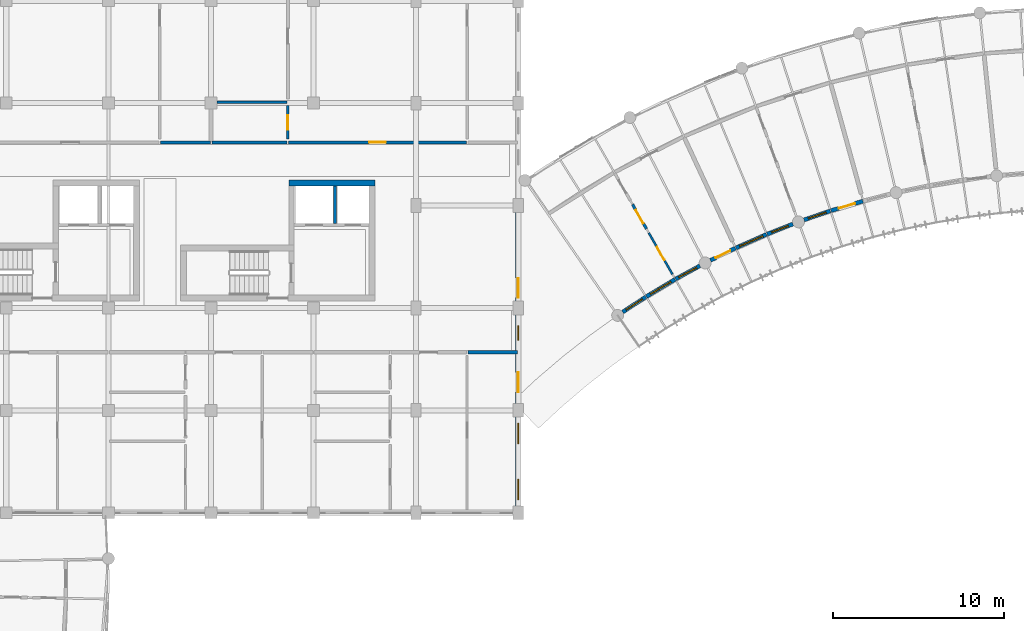
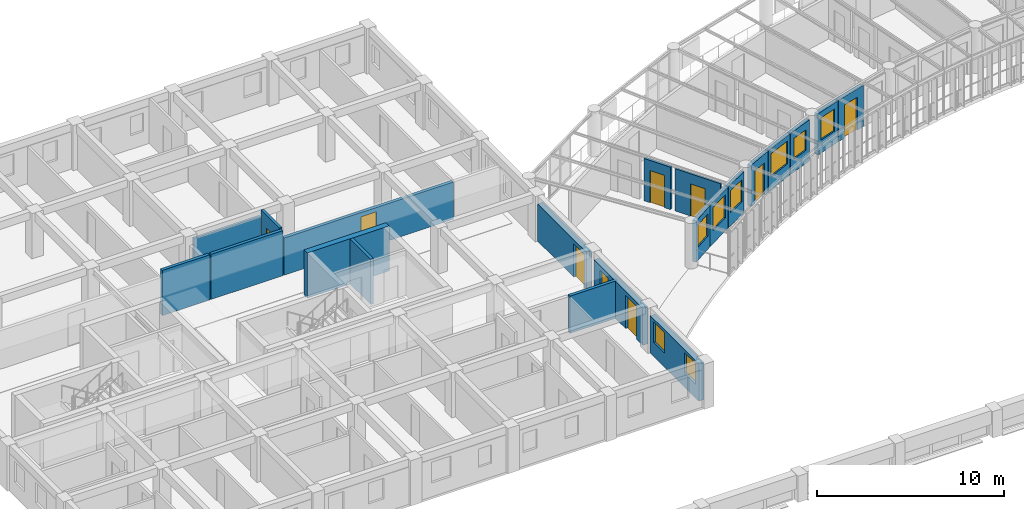
# One storey, part 104 of 137: 21 walls, 9 windows, 8 doors, 17 openings.
"""IFC4 building model written with IfcOpenShell, lengths in metres."""

from ifc_helpers import new_model, si_unit, direction, frame, frame_2d, origin, place, context, subcontext, project, spatial, rectangle, extrude, material, layer, layer_set, type_object, element, fill, save


model = new_model("IFC4")

# Units and contexts
model_context = context("Model", 3, precision=1e-05, world=origin(), true_north=direction((0.0, 1.0)))
body_context = subcontext(model_context, "Body", "Model", "MODEL_VIEW")
ifc_project = project(units=[si_unit("LENGTHUNIT", "METRE"), si_unit("AREAUNIT", "SQUARE_METRE"), si_unit("VOLUMEUNIT", "CUBIC_METRE"), si_unit("PLANEANGLEUNIT", "RADIAN"), si_unit("MASSUNIT", "GRAM", prefix="KILO"), si_unit("POWERUNIT", "WATT"), si_unit("THERMODYNAMICTEMPERATUREUNIT", "KELVIN")], contexts=[model_context])

# Site, building, storey
site_placement = place(None, origin())
site = spatial("IfcSite", under=ifc_project, at=site_placement, CompositionType="ELEMENT")
building_placement = place(site_placement, origin())
building = spatial("IfcBuilding", under=site, at=building_placement, Name="Ruvembo Vaulted Housing Court", CompositionType="ELEMENT")
storey_placement = place(building_placement, frame((0.0, 0.0, 4.5)))
storey = spatial("IfcBuildingStorey", under=building, at=storey_placement, Name="L01", CompositionType="ELEMENT", Elevation=4.5)

# Walls
ifc_material_1 = material(Name="Concrete C35/45", Category="concrete")
ifc_layer_1 = layer(ifc_material_1, 0.35009765625, Name="Concrete C35/45")
ifc_layer_set_1 = layer_set([ifc_layer_1], Name="Concrete C35/45")
wall_type_1 = type_object("IfcWallType", Name="WL-CORE-350", PredefinedType="SHEAR", material=ifc_layer_set_1)
wall_1_placement = place(storey_placement, frame((75.60009765625, 97.324951171875, 0.0), z_axis=(0.0, 0.0, 1.0), x_axis=(-1.0, 0.0, 0.0)))
element("IfcWall", 1, at=wall_1_placement, inside=storey, type_object=wall_type_1, Name="Core B2 L01 North Shear Wall", PredefinedType="SHEAR", context=body_context, shape_type="SweptSolid", body=[
    extrude(rectangle(XDim=5.050048828125, YDim=0.35009765625, at=frame_2d((2.52490234375, 0.0))), origin(), (0.0, 0.0, 1.0), 2.945068359375),
])
ifc_material_2 = material(Name="Concrete Blockwork 190", Category="masonry")
ifc_layer_2 = layer(ifc_material_2, 0.18994140625, Name="Concrete Blockwork 190")
ifc_layer_set_2 = layer_set([ifc_layer_2], Name="Concrete Blockwork 190")
wall_type_2 = type_object("IfcWallType", Name="WL-CORR-190", PredefinedType="SOLIDWALL", material=ifc_layer_set_2)
wall_2_placement = place(storey_placement, frame((81.0400390625, 87.39990234375, 0.0), z_axis=(0.0, 0.0, 1.0), x_axis=(1.0, 0.0, 0.0)))
element("IfcWall", 2, at=wall_2_placement, inside=storey, type_object=wall_type_2, Name="L01 Flat B-L01-S3 Corridor Wall 2 WL-INT-L01-00253", PredefinedType="SOLIDWALL", context=body_context, shape_type="SweptSolid", body=[
    extrude(rectangle(XDim=2.919921875, YDim=0.18994140625, at=frame_2d((1.4599609375, 0.0))), origin(), (0.0, 0.0, 1.0), 2.427001953125),
])
wall_3_placement = place(storey_placement, frame((63.0400390625, 99.699951171875, 0.0), z_axis=(0.0, 0.0, 1.0), x_axis=(1.0, 0.0, 0.0)))
element("IfcWall", 3, at=wall_3_placement, inside=storey, type_object=wall_type_2, Name="L01 Flat B-L01-N1 Corridor Wall 2 WL-INT-L01-00263", PredefinedType="SOLIDWALL", context=body_context, shape_type="SweptSolid", body=[
    extrude(rectangle(XDim=2.919921875, YDim=0.18994140625, at=frame_2d((1.4599609375, 0.0))), origin(), (0.0, 0.0, 1.0), 2.945068359375),
])
wall_4_placement = place(storey_placement, frame((66.0400390625, 99.699951171875, 0.0), z_axis=(0.0, 0.0, 1.0), x_axis=(1.0, 0.0, 0.0)))
element("IfcWall", 4, at=wall_4_placement, inside=storey, type_object=wall_type_2, Name="L01 Flat B-L01-N2 Corridor Wall WL-INT-L01-00265", PredefinedType="SOLIDWALL", context=body_context, shape_type="SweptSolid", body=[
    extrude(rectangle(XDim=4.419921875, YDim=0.18994140625, at=frame_2d((2.2099609375, 0.0))), origin(), (0.0, 0.0, 1.0), 2.945068359375),
])

# Wall, opening, door
wall_5_placement = place(storey_placement, frame((70.5400390625, 99.699951171875, 0.0), z_axis=(0.0, 0.0, 1.0), x_axis=(1.0, 0.0, 0.0)))
wall_5 = element("IfcWall", 5, at=wall_5_placement, inside=storey, type_object=wall_type_2, Name="L01 Flat B-L01-N2 Entrance WL-INT-L01-00266", PredefinedType="SOLIDWALL", context=body_context, shape_type="SweptSolid", body=[
    extrude(rectangle(XDim=10.419921875, YDim=0.18994140625, at=frame_2d((5.2099609375, 0.0))), origin(), (0.0, 0.0, 1.0), 2.427001953125),
])
opening_1_placement = place(wall_5_placement, frame((4.719970703125, 0.0, 0.0)))
opening_1 = element("IfcOpeningElement", 6, at=opening_1_placement, cuts=wall_5, Name="Opening FD2", PredefinedType="OPENING", context=body_context, shape_type="SweptSolid", body=[
    extrude(rectangle(XDim=0.97998046875, YDim=2.14990234375, at=frame_2d((0.489990234375, 1.074951171875))), frame((0.0, 0.10498046875, 0.0), z_axis=(0.0, -1.0, 0.0), x_axis=(1.0, 0.0, 0.0)), (0.0, 0.0, 1.0), 0.2099609375),
])
ifc_material_3 = material(Name="FSC Hardwood and Engineered Timber", Category="wood")
door_type_1 = type_object("IfcDoorType", Name="DR-FLAT-0980x2150", OperationType="NOTDEFINED", PredefinedType="DOOR", material=ifc_material_3)
door_1_placement = place(opening_1_placement, origin())
door_1 = element("IfcDoor", 7, at=door_1_placement, inside=storey, type_object=door_type_1, Name="L01 Flat B-L01-N2 Entrance Door DR-INT-L01-00133", OperationType="SINGLE_SWING_LEFT", OverallHeight=2.14990234375, OverallWidth=0.97998046875, PredefinedType="DOOR", context=body_context, shape_type="SweptSolid", body=[
    extrude(rectangle(XDim=0.97998046875, YDim=2.14990234375, at=frame_2d((0.489990234375, 1.074951171875))), frame((0.0, 0.02490234375, 0.0), z_axis=(0.0, -1.0, 0.0), x_axis=(1.0, 0.0, 0.0)), (0.0, 0.0, 1.0), 0.050048828125),
])
fill(opening_1, door_1)

# Wall, opening, window
ifc_material_4 = material(Name="Rendered Masonry 235", Category="masonry")
ifc_layer_3 = layer(ifc_material_4, 0.235107421875, Name="Rendered Masonry 235")
ifc_layer_set_3 = layer_set([ifc_layer_3], Name="Rendered Masonry 235")
wall_type_3 = type_object("IfcWallType", Name="WL-EXT-235", PredefinedType="STANDARD", material=ifc_layer_set_3)
wall_6_placement = place(storey_placement, frame((90.1142578125, 89.756591796875, 0.0), z_axis=(0.0, 0.0, 1.0), x_axis=(0.835873156341, 0.548922641644, 0.0)))
wall_6 = element("IfcWall", 8, at=wall_6_placement, inside=storey, type_object=wall_type_3, Name="Scoop SC3 L01 Concave Balcony Wall 0", PredefinedType="STANDARD", context=body_context, shape_type="SweptSolid", body=[
    extrude(rectangle(XDim=1.62255859375, YDim=0.235107421875, at=frame_2d((0.811279296875, 0.0))), origin(), (0.0, 0.0, 1.0), 2.68408203125),
])
opening_2_placement = place(wall_6_placement, frame((0.236083984375, 0.0, 0.85009765625)))
opening_2 = element("IfcOpeningElement", 9, at=opening_2_placement, cuts=wall_6, Name="Opening W11", PredefinedType="OPENING", context=body_context, shape_type="SweptSolid", body=[
    extrude(rectangle(XDim=1.14990234375, YDim=1.449951171875, at=frame_2d((0.574951171875, 0.72509765625))), frame((0.0, 0.12744140625, 0.0), z_axis=(0.0, -1.0, 0.0), x_axis=(1.0, 0.0, 0.0)), (0.0, 0.0, 1.0), 0.255126953125),
])
ifc_material_5 = material(Name="Double Solar-Control Glazing in Aluminium Frame", Category="aluminium")
window_type_1 = type_object("IfcWindowType", Name="WIN-1150x1450", PartitioningType="SINGLE_PANEL", PredefinedType="WINDOW", material=ifc_material_5)
window_1_placement = place(opening_2_placement, origin())
window_1 = element("IfcWindow", 10, at=window_1_placement, inside=storey, type_object=window_type_1, Name="Scoop SC3 L01 Concave Window 0", OverallHeight=1.449951171875, OverallWidth=1.14990234375, PartitioningType="SINGLE_PANEL", PredefinedType="WINDOW", context=body_context, shape_type="SweptSolid", body=[
    extrude(rectangle(XDim=1.14990234375, YDim=1.449951171875, at=frame_2d((0.574951171875, 0.72509765625))), frame((0.0, 0.030029296875, 0.0), z_axis=(0.0, -1.0, 0.0), x_axis=(1.0, 0.0, 0.0)), (0.0, 0.0, 1.0), 0.06005859375),
])
fill(opening_2, window_1)

wall_7_placement = place(storey_placement, frame((91.50439453125, 90.66845703125, 0.0), z_axis=(0.0, 0.0, 1.0), x_axis=(0.85787888411, 0.51385194385, 0.0)))
wall_7 = element("IfcWall", 11, at=wall_7_placement, inside=storey, type_object=wall_type_3, Name="Scoop SC3 L01 Concave Balcony Wall 1", PredefinedType="STANDARD", context=body_context, shape_type="SweptSolid", body=[
    extrude(rectangle(XDim=1.9521484375, YDim=0.235107421875, at=frame_2d((0.97607421875, 0.0))), origin(), (0.0, 0.0, 1.0), 2.68408203125),
])
opening_3_placement = place(wall_7_placement, frame((0.276123046875, 0.0, 0.85009765625)))
opening_3 = element("IfcOpeningElement", 12, at=opening_3_placement, cuts=wall_7, Name="Opening W17", PredefinedType="OPENING", context=body_context, shape_type="SweptSolid", body=[
    extrude(rectangle(XDim=1.39990234375, YDim=1.5, at=frame_2d((0.699951171875, 0.75))), frame((0.0, 0.12744140625, 0.0), z_axis=(0.0, -1.0, 0.0), x_axis=(1.0, 0.0, 0.0)), (0.0, 0.0, 1.0), 0.255126953125),
])
window_type_2 = type_object("IfcWindowType", Name="WIN-1400x1500", PartitioningType="SINGLE_PANEL", PredefinedType="WINDOW", material=ifc_material_5)
window_2_placement = place(opening_3_placement, origin())
window_2 = element("IfcWindow", 13, at=window_2_placement, inside=storey, type_object=window_type_2, Name="Scoop SC3 L01 Concave Window 1", OverallHeight=1.5, OverallWidth=1.39990234375, PartitioningType="SINGLE_PANEL", PredefinedType="WINDOW", context=body_context, shape_type="SweptSolid", body=[
    extrude(rectangle(XDim=1.39990234375, YDim=1.5, at=frame_2d((0.699951171875, 0.75))), frame((0.0, 0.030029296875, 0.0), z_axis=(0.0, -1.0, 0.0), x_axis=(1.0, 0.0, 0.0)), (0.0, 0.0, 1.0), 0.06005859375),
])
fill(opening_3, window_2)

wall_8_placement = place(storey_placement, frame((93.214111328125, 91.691650390625, 0.0), z_axis=(0.0, 0.0, 1.0), x_axis=(0.878452871629, 0.477828999044, 0.0)))
wall_8 = element("IfcWall", 14, at=wall_8_placement, inside=storey, type_object=wall_type_3, Name="Scoop SC3 L01 Concave Balcony Wall 2", PredefinedType="STANDARD", context=body_context, shape_type="SweptSolid", body=[
    extrude(rectangle(XDim=1.622314453125, YDim=0.235107421875, at=frame_2d((0.81103515625, 0.0))), origin(), (0.0, 0.0, 1.0), 2.68408203125),
])
opening_4_placement = place(wall_8_placement, frame((0.211181640625, 0.0, 0.85009765625)))
opening_4 = element("IfcOpeningElement", 15, at=opening_4_placement, cuts=wall_8, Name="Opening W13", PredefinedType="OPENING", context=body_context, shape_type="SweptSolid", body=[
    extrude(rectangle(XDim=1.199951171875, YDim=1.449951171875, at=frame_2d((0.60009765625, 0.72509765625))), frame((0.0, 0.12744140625, 0.0), z_axis=(0.0, -1.0, 0.0), x_axis=(1.0, 0.0, 0.0)), (0.0, 0.0, 1.0), 0.255126953125),
])
window_type_3 = type_object("IfcWindowType", Name="WIN-1200x1450", PartitioningType="SINGLE_PANEL", PredefinedType="WINDOW", material=ifc_material_5)
window_3_placement = place(opening_4_placement, origin())
window_3 = element("IfcWindow", 16, at=window_3_placement, inside=storey, type_object=window_type_3, Name="Scoop SC3 L01 Concave Window 2", OverallHeight=1.449951171875, OverallWidth=1.199951171875, PartitioningType="SINGLE_PANEL", PredefinedType="WINDOW", context=body_context, shape_type="SweptSolid", body=[
    extrude(rectangle(XDim=1.199951171875, YDim=1.449951171875, at=frame_2d((0.60009765625, 0.72509765625))), frame((0.0, 0.030029296875, 0.0), z_axis=(0.0, -1.0, 0.0), x_axis=(1.0, 0.0, 0.0)), (0.0, 0.0, 1.0), 0.06005859375),
])
fill(opening_4, window_3)

# Wall, opening, door
wall_9_placement = place(storey_placement, frame((95.2607421875, 92.7880859375, 0.0), z_axis=(0.0, 0.0, 1.0), x_axis=(0.897535518759, 0.440942164649, 0.0)))
wall_9 = element("IfcWall", 17, at=wall_9_placement, inside=storey, type_object=wall_type_3, Name="Scoop SC3 L01 Concave Balcony Wall 3", PredefinedType="STANDARD", context=body_context, shape_type="SweptSolid", body=[
    extrude(rectangle(XDim=1.622314453125, YDim=0.235107421875, at=frame_2d((0.81103515625, 0.0))), origin(), (0.0, 0.0, 1.0), 2.68408203125),
])
opening_5_placement = place(wall_9_placement, frame((0.336181640625, 0.0, 0.0)))
opening_5 = element("IfcOpeningElement", 18, at=opening_5_placement, cuts=wall_9, Name="Opening BD0", PredefinedType="OPENING", context=body_context, shape_type="SweptSolid", body=[
    extrude(rectangle(XDim=0.949951171875, YDim=2.1201171875, at=frame_2d((0.47509765625, 1.06005859375))), frame((0.0, 0.12744140625, 0.0), z_axis=(0.0, -1.0, 0.0), x_axis=(1.0, 0.0, 0.0)), (0.0, 0.0, 1.0), 0.255126953125),
])
ifc_material_6 = material(Name="Thermally Broken Glazed Aluminium", Category="aluminium")
door_type_2 = type_object("IfcDoorType", Name="DR-BAL-0950x2120", OperationType="NOTDEFINED", PredefinedType="DOOR", material=ifc_material_6)
door_2_placement = place(opening_5_placement, frame((0.949951171875, 0.0, 0.0), z_axis=(0.0, 0.0, 1.0), x_axis=(-1.0, 0.0, 0.0)))
door_2 = element("IfcDoor", 19, at=door_2_placement, inside=storey, type_object=door_type_2, Name="Scoop SC3 L01 Balcony Door 3", OperationType="SINGLE_SWING_LEFT", OverallHeight=2.1201171875, OverallWidth=0.949951171875, PredefinedType="DOOR", context=body_context, shape_type="SweptSolid", body=[
    extrude(rectangle(XDim=0.949951171875, YDim=2.1201171875, at=frame_2d((0.47509765625, 1.06005859375))), frame((0.0, 0.02490234375, 0.0), z_axis=(0.0, -1.0, 0.0), x_axis=(1.0, 0.0, 0.0)), (0.0, 0.0, 1.0), 0.050048828125),
])
fill(opening_5, door_2)

# Wall, opening, window
wall_10_placement = place(storey_placement, frame((96.753173828125, 93.5205078125, 0.0), z_axis=(0.0, 0.0, 1.0), x_axis=(0.915126852478, 0.403166025197, 0.0)))
wall_10 = element("IfcWall", 20, at=wall_10_placement, inside=storey, type_object=wall_type_3, Name="Scoop SC3 L01 Concave Balcony Wall 4", PredefinedType="STANDARD", context=body_context, shape_type="SweptSolid", body=[
    extrude(rectangle(XDim=1.952392578125, YDim=0.235107421875, at=frame_2d((0.97607421875, 0.0))), origin(), (0.0, 0.0, 1.0), 2.68408203125),
])
opening_6_placement = place(wall_10_placement, frame((0.226318359375, 0.0, 0.85009765625)))
opening_6 = element("IfcOpeningElement", 21, at=opening_6_placement, cuts=wall_10, Name="Opening W19", PredefinedType="OPENING", context=body_context, shape_type="SweptSolid", body=[
    extrude(rectangle(XDim=1.5, YDim=1.5, at=frame_2d((0.75, 0.75))), frame((0.0, 0.12744140625, 0.0), z_axis=(0.0, -1.0, 0.0), x_axis=(1.0, 0.0, 0.0)), (0.0, 0.0, 1.0), 0.255126953125),
])
window_type_4 = type_object("IfcWindowType", Name="WIN-1500x1500", PartitioningType="SINGLE_PANEL", PredefinedType="WINDOW", material=ifc_material_5)
window_4_placement = place(opening_6_placement, origin())
window_4 = element("IfcWindow", 22, at=window_4_placement, inside=storey, type_object=window_type_4, Name="Scoop SC3 L01 Concave Window 4", OverallHeight=1.5, OverallWidth=1.5, PartitioningType="SINGLE_PANEL", PredefinedType="WINDOW", context=body_context, shape_type="SweptSolid", body=[
    extrude(rectangle(XDim=1.5, YDim=1.5, at=frame_2d((0.75, 0.75))), frame((0.0, 0.030029296875, 0.0), z_axis=(0.0, -1.0, 0.0), x_axis=(1.0, 0.0, 0.0)), (0.0, 0.0, 1.0), 0.06005859375),
])
fill(opening_6, window_4)

wall_11_placement = place(storey_placement, frame((98.57666015625, 94.322998046875, 0.0), z_axis=(0.0, 0.0, 1.0), x_axis=(0.930967180533, 0.365102874228, 0.0)))
wall_11 = element("IfcWall", 23, at=wall_11_placement, inside=storey, type_object=wall_type_3, Name="Scoop SC3 L01 Concave Balcony Wall 5", PredefinedType="STANDARD", context=body_context, shape_type="SweptSolid", body=[
    extrude(rectangle(XDim=1.622314453125, YDim=0.235107421875, at=frame_2d((0.81103515625, 0.0))), origin(), (0.0, 0.0, 1.0), 2.68408203125),
])
opening_7_placement = place(wall_11_placement, frame((0.2861328125, 0.0, 0.85009765625)))
opening_7 = element("IfcOpeningElement", 24, at=opening_7_placement, cuts=wall_11, Name="Opening W09", PredefinedType="OPENING", context=body_context, shape_type="SweptSolid", body=[
    extrude(rectangle(XDim=1.050048828125, YDim=1.35009765625, at=frame_2d((0.52490234375, 0.675048828125))), frame((0.0, 0.12744140625, 0.0), z_axis=(0.0, -1.0, 0.0), x_axis=(1.0, 0.0, 0.0)), (0.0, 0.0, 1.0), 0.255126953125),
])
window_type_5 = type_object("IfcWindowType", Name="WIN-1050x1350", PartitioningType="SINGLE_PANEL", PredefinedType="WINDOW", material=ifc_material_5)
window_5_placement = place(opening_7_placement, origin())
window_5 = element("IfcWindow", 25, at=window_5_placement, inside=storey, type_object=window_type_5, Name="Scoop SC3 L01 Concave Window 5", OverallHeight=1.35009765625, OverallWidth=1.050048828125, PartitioningType="SINGLE_PANEL", PredefinedType="WINDOW", context=body_context, shape_type="SweptSolid", body=[
    extrude(rectangle(XDim=1.050048828125, YDim=1.35009765625, at=frame_2d((0.52490234375, 0.675048828125))), frame((0.0, 0.030029296875, 0.0), z_axis=(0.0, -1.0, 0.0), x_axis=(1.0, 0.0, 0.0)), (0.0, 0.0, 1.0), 0.06005859375),
])
fill(opening_7, window_5)

wall_12_placement = place(storey_placement, frame((100.743896484375, 95.156982421875, 0.0), z_axis=(0.0, 0.0, 1.0), x_axis=(0.945336194352, 0.32609734689, 0.0)))
wall_12 = element("IfcWall", 26, at=wall_12_placement, inside=storey, type_object=wall_type_3, Name="Scoop SC3 L01 Concave Balcony Wall 6", PredefinedType="STANDARD", context=body_context, shape_type="SweptSolid", body=[
    extrude(rectangle(XDim=1.622314453125, YDim=0.235107421875, at=frame_2d((0.81103515625, 0.0))), origin(), (0.0, 0.0, 1.0), 2.68408203125),
])
opening_8_placement = place(wall_12_placement, frame((0.26123046875, 0.0, 0.85009765625)))
opening_8 = element("IfcOpeningElement", 27, at=opening_8_placement, cuts=wall_12, Name="Opening W10", PredefinedType="OPENING", context=body_context, shape_type="SweptSolid", body=[
    extrude(rectangle(XDim=1.10009765625, YDim=1.449951171875, at=frame_2d((0.550048828125, 0.72509765625))), frame((0.0, 0.12744140625, 0.0), z_axis=(0.0, -1.0, 0.0), x_axis=(1.0, 0.0, 0.0)), (0.0, 0.0, 1.0), 0.255126953125),
])
window_type_6 = type_object("IfcWindowType", Name="WIN-1100x1450", PartitioningType="SINGLE_PANEL", PredefinedType="WINDOW", material=ifc_material_5)
window_6_placement = place(opening_8_placement, origin())
window_6 = element("IfcWindow", 28, at=window_6_placement, inside=storey, type_object=window_type_6, Name="Scoop SC3 L01 Concave Window 6", OverallHeight=1.449951171875, OverallWidth=1.10009765625, PartitioningType="SINGLE_PANEL", PredefinedType="WINDOW", context=body_context, shape_type="SweptSolid", body=[
    extrude(rectangle(XDim=1.10009765625, YDim=1.449951171875, at=frame_2d((0.550048828125, 0.72509765625))), frame((0.0, 0.030029296875, 0.0), z_axis=(0.0, -1.0, 0.0), x_axis=(1.0, 0.0, 0.0)), (0.0, 0.0, 1.0), 0.06005859375),
])
fill(opening_8, window_6)

# Wall, opening, door
wall_13_placement = place(storey_placement, frame((102.315673828125, 95.6982421875, 0.0), z_axis=(0.0, 0.0, 1.0), x_axis=(0.95807718441, 0.286510224446, 0.0)))
wall_13 = element("IfcWall", 29, at=wall_13_placement, inside=storey, type_object=wall_type_3, Name="Scoop SC3 L01 Concave Balcony Wall 7", PredefinedType="STANDARD", context=body_context, shape_type="SweptSolid", body=[
    extrude(rectangle(XDim=1.9521484375, YDim=0.235107421875, at=frame_2d((0.97607421875, 0.0))), origin(), (0.0, 0.0, 1.0), 2.68408203125),
])
opening_9_placement = place(wall_13_placement, frame((0.476318359375, 0.0, 0.0)))
opening_9 = element("IfcOpeningElement", 30, at=opening_9_placement, cuts=wall_13, Name="Opening BD1", PredefinedType="OPENING", context=body_context, shape_type="SweptSolid", body=[
    extrude(rectangle(XDim=1.0, YDim=2.14990234375, at=frame_2d((0.5, 1.074951171875))), frame((0.0, 0.12744140625, 0.0), z_axis=(0.0, -1.0, 0.0), x_axis=(1.0, 0.0, 0.0)), (0.0, 0.0, 1.0), 0.255126953125),
])
door_type_3 = type_object("IfcDoorType", Name="DR-BAL-1000x2150", OperationType="NOTDEFINED", PredefinedType="DOOR", material=ifc_material_6)
door_3_placement = place(opening_9_placement, frame((1.0, 0.0, 0.0), z_axis=(0.0, 0.0, 1.0), x_axis=(-1.0, 0.0, 0.0)))
door_3 = element("IfcDoor", 31, at=door_3_placement, inside=storey, type_object=door_type_3, Name="Scoop SC3 L01 Balcony Door 7", OperationType="SINGLE_SWING_RIGHT", OverallHeight=2.14990234375, OverallWidth=1.0, PredefinedType="DOOR", context=body_context, shape_type="SweptSolid", body=[
    extrude(rectangle(XDim=1.0, YDim=2.14990234375, at=frame_2d((0.5, 1.074951171875))), frame((0.0, 0.02490234375, 0.0), z_axis=(0.0, -1.0, 0.0), x_axis=(1.0, 0.0, 0.0)), (0.0, 0.0, 1.0), 0.050048828125),
])
fill(opening_9, door_3)

# Wall, openings, windows
ifc_material_7 = material(Name="Rendered Masonry 320", Category="masonry")
ifc_layer_4 = layer(ifc_material_7, 0.320068359375, Name="Rendered Masonry 320")
ifc_layer_set_4 = layer_set([ifc_layer_4], Name="Rendered Masonry 320")
wall_type_4 = type_object("IfcWallType", Name="WL-EXT-320", PredefinedType="STANDARD", material=ifc_layer_set_4)
wall_14_placement = place(storey_placement, frame((84.0, 78.39990234375, 0.0), z_axis=(0.0, 0.0, 1.0), x_axis=(0.0, 1.0, 0.0)))
wall_14 = element("IfcWall", 32, at=wall_14_placement, inside=storey, type_object=wall_type_4, Name="Block B L01 Exterior Wall EAST #1", PredefinedType="STANDARD", context=body_context, shape_type="SweptSolid", body=[
    extrude(rectangle(XDim=5.2001953125, YDim=0.320068359375, at=frame_2d((2.60009765625, 0.0))), origin(), (0.0, 0.0, 1.0), 2.427001953125),
])
opening_10_placement = place(wall_14_placement, frame((0.35009765625, 0.0, 0.89990234375)))
opening_10 = element("IfcOpeningElement", 33, at=opening_10_placement, cuts=wall_14, Name="Opening W12", PredefinedType="OPENING", context=body_context, shape_type="SweptSolid", body=[
    extrude(rectangle(XDim=1.199951171875, YDim=1.35009765625, at=frame_2d((0.60009765625, 0.675048828125))), frame((0.0, 0.169921875, 0.0), z_axis=(0.0, -1.0, 0.0), x_axis=(1.0, 0.0, 0.0)), (0.0, 0.0, 1.0), 0.340087890625),
])
opening_11_placement = place(wall_14_placement, frame((3.64990234375, 0.0, 0.89990234375)))
opening_11 = element("IfcOpeningElement", 34, at=opening_11_placement, cuts=wall_14, Name="Opening W12", PredefinedType="OPENING", context=body_context, shape_type="SweptSolid", body=[
    extrude(rectangle(XDim=1.199951171875, YDim=1.35009765625, at=frame_2d((0.60009765625, 0.675048828125))), frame((0.0, 0.169921875, 0.0), z_axis=(0.0, -1.0, 0.0), x_axis=(1.0, 0.0, 0.0)), (0.0, 0.0, 1.0), 0.340087890625),
])
window_type_7 = type_object("IfcWindowType", Name="WIN-1200x1350", PartitioningType="SINGLE_PANEL", PredefinedType="WINDOW", material=ifc_material_5)
window_7_placement = place(opening_10_placement, origin())
window_7 = element("IfcWindow", 35, at=window_7_placement, inside=storey, type_object=window_type_7, Name="Block B L01 Window #653", OverallHeight=1.35009765625, OverallWidth=1.199951171875, PartitioningType="SINGLE_PANEL", PredefinedType="WINDOW", context=body_context, shape_type="SweptSolid", body=[
    extrude(rectangle(XDim=1.199951171875, YDim=1.35009765625, at=frame_2d((0.60009765625, 0.675048828125))), frame((0.0, 0.030029296875, 0.0), z_axis=(0.0, -1.0, 0.0), x_axis=(1.0, 0.0, 0.0)), (0.0, 0.0, 1.0), 0.06005859375),
])
fill(opening_10, window_7)
window_8_placement = place(opening_11_placement, origin())
window_8 = element("IfcWindow", 36, at=window_8_placement, inside=storey, type_object=window_type_7, Name="Block B L01 Window #654", OverallHeight=1.35009765625, OverallWidth=1.199951171875, PartitioningType="SINGLE_PANEL", PredefinedType="WINDOW", context=body_context, shape_type="SweptSolid", body=[
    extrude(rectangle(XDim=1.199951171875, YDim=1.35009765625, at=frame_2d((0.60009765625, 0.675048828125))), frame((0.0, 0.030029296875, 0.0), z_axis=(0.0, -1.0, 0.0), x_axis=(1.0, 0.0, 0.0)), (0.0, 0.0, 1.0), 0.06005859375),
])
fill(opening_11, window_8)

# Wall, openings, door, window
wall_15_placement = place(storey_placement, frame((84.0, 84.39990234375, 0.0), z_axis=(0.0, 0.0, 1.0), x_axis=(0.0, 1.0, 0.0)))
wall_15 = element("IfcWall", 37, at=wall_15_placement, inside=storey, type_object=wall_type_4, Name="Block B L01 Exterior Wall EAST #2", PredefinedType="STANDARD", context=body_context, shape_type="SweptSolid", body=[
    extrude(rectangle(XDim=5.2001953125, YDim=0.320068359375, at=frame_2d((2.60009765625, 0.0))), origin(), (0.0, 0.0, 1.0), 2.427001953125),
])
opening_12_placement = place(wall_15_placement, frame((0.669921875, 0.0, 0.0)))
opening_12 = element("IfcOpeningElement", 38, at=opening_12_placement, cuts=wall_15, Name="Opening GD1", PredefinedType="OPENING", context=body_context, shape_type="SweptSolid", body=[
    extrude(rectangle(XDim=1.14990234375, YDim=2.14990234375, at=frame_2d((0.574951171875, 1.074951171875))), frame((0.0, 0.169921875, 0.0), z_axis=(0.0, -1.0, 0.0), x_axis=(1.0, 0.0, 0.0)), (0.0, 0.0, 1.0), 0.340087890625),
])
opening_13_placement = place(wall_15_placement, frame((3.695068359375, 0.0, 0.89990234375)))
opening_13 = element("IfcOpeningElement", 39, at=opening_13_placement, cuts=wall_15, Name="Opening W03", PredefinedType="OPENING", context=body_context, shape_type="SweptSolid", body=[
    extrude(rectangle(XDim=0.85009765625, YDim=1.25, at=frame_2d((0.425048828125, 0.625))), frame((0.0, 0.169921875, 0.0), z_axis=(0.0, -1.0, 0.0), x_axis=(1.0, 0.0, 0.0)), (0.0, 0.0, 1.0), 0.340087890625),
])
door_type_4 = type_object("IfcDoorType", Name="DR-GAL-1150x2150", OperationType="NOTDEFINED", PredefinedType="DOOR", material=ifc_material_6)
door_4_placement = place(opening_12_placement, frame((1.14990234375, 0.0, 0.0), z_axis=(0.0, 0.0, 1.0), x_axis=(-1.0, 0.0, 0.0)))
door_4 = element("IfcDoor", 40, at=door_4_placement, inside=storey, type_object=door_type_4, Name="Block B L01 Terrace or Gallery Door DR-TER-B-L01-029", OperationType="SINGLE_SWING_RIGHT", OverallHeight=2.14990234375, OverallWidth=1.14990234375, PredefinedType="DOOR", context=body_context, shape_type="SweptSolid", body=[
    extrude(rectangle(XDim=1.14990234375, YDim=2.14990234375, at=frame_2d((0.574951171875, 1.074951171875))), frame((0.0, 0.02490234375, 0.0), z_axis=(0.0, -1.0, 0.0), x_axis=(1.0, 0.0, 0.0)), (0.0, 0.0, 1.0), 0.050048828125),
])
fill(opening_12, door_4)
window_type_8 = type_object("IfcWindowType", Name="WIN-0850x1250", PartitioningType="SINGLE_PANEL", PredefinedType="WINDOW", material=ifc_material_5)
window_9_placement = place(opening_13_placement, origin())
window_9 = element("IfcWindow", 41, at=window_9_placement, inside=storey, type_object=window_type_8, Name="Block B L01 Window #655", OverallHeight=1.25, OverallWidth=0.85009765625, PartitioningType="SINGLE_PANEL", PredefinedType="WINDOW", context=body_context, shape_type="SweptSolid", body=[
    extrude(rectangle(XDim=0.85009765625, YDim=1.25, at=frame_2d((0.425048828125, 0.625))), frame((0.0, 0.030029296875, 0.0), z_axis=(0.0, -1.0, 0.0), x_axis=(1.0, 0.0, 0.0)), (0.0, 0.0, 1.0), 0.06005859375),
])
fill(opening_13, window_9)

# Wall, opening, door
wall_16_placement = place(storey_placement, frame((84.0, 90.39990234375, 0.0), z_axis=(0.0, 0.0, 1.0), x_axis=(0.0, 1.0, 0.0)))
wall_16 = element("IfcWall", 42, at=wall_16_placement, inside=storey, type_object=wall_type_4, Name="Block B L01 Exterior Wall EAST #3", PredefinedType="STANDARD", context=body_context, shape_type="SweptSolid", body=[
    extrude(rectangle(XDim=5.2001953125, YDim=0.320068359375, at=frame_2d((2.60009765625, 0.0))), origin(), (0.0, 0.0, 1.0), 2.427001953125),
])
opening_14_placement = place(wall_16_placement, frame((0.199951171875, 0.0, 0.0)))
opening_14 = element("IfcOpeningElement", 43, at=opening_14_placement, cuts=wall_16, Name="Opening GD1", PredefinedType="OPENING", context=body_context, shape_type="SweptSolid", body=[
    extrude(rectangle(XDim=1.14990234375, YDim=2.14990234375, at=frame_2d((0.574951171875, 1.074951171875))), frame((0.0, 0.169921875, 0.0), z_axis=(0.0, -1.0, 0.0), x_axis=(1.0, 0.0, 0.0)), (0.0, 0.0, 1.0), 0.340087890625),
])
door_5_placement = place(opening_14_placement, frame((1.14990234375, 0.0, 0.0), z_axis=(0.0, 0.0, 1.0), x_axis=(-1.0, 0.0, 0.0)))
door_5 = element("IfcDoor", 44, at=door_5_placement, inside=storey, type_object=door_type_4, Name="Block B L01 Terrace or Gallery Door DR-TER-B-L01-030", OperationType="SINGLE_SWING_LEFT", OverallHeight=2.14990234375, OverallWidth=1.14990234375, PredefinedType="DOOR", context=body_context, shape_type="SweptSolid", body=[
    extrude(rectangle(XDim=1.14990234375, YDim=2.14990234375, at=frame_2d((0.574951171875, 1.074951171875))), frame((0.0, 0.02490234375, 0.0), z_axis=(0.0, -1.0, 0.0), x_axis=(1.0, 0.0, 0.0)), (0.0, 0.0, 1.0), 0.050048828125),
])
fill(opening_14, door_5)

ifc_material_8 = material(Name="Plasterboard Stud Partition 125", Category="gypsum")
ifc_layer_5 = layer(ifc_material_8, 0.125, Name="Plasterboard Stud Partition 125")
ifc_layer_set_5 = layer_set([ifc_layer_5], Name="Plasterboard Stud Partition 125")
wall_type_5 = type_object("IfcWallType", Name="WL-PART-125", PredefinedType="PARTITIONING", material=ifc_layer_set_5)
wall_17_placement = place(storey_placement, frame((93.03369140625, 91.966796875, 0.0), z_axis=(0.0, 0.0, 1.0), x_axis=(-0.495951127449, 0.868350435701, 0.0)))
wall_17 = element("IfcWall", 45, at=wall_17_placement, inside=storey, type_object=wall_type_5, Name="L01 Suite SC3-L01-U1 Bedroom WL-INT-L01-00442", PredefinedType="PARTITIONING", context=body_context, shape_type="SweptSolid", body=[
    extrude(rectangle(XDim=2.800048828125, YDim=0.125, at=frame_2d((1.39990234375, 0.0))), origin(), (0.0, 0.0, 1.0), 2.761962890625),
])
opening_15_placement = place(wall_17_placement, frame((0.960205078125, 0.0, 0.0)))
opening_15 = element("IfcOpeningElement", 46, at=opening_15_placement, cuts=wall_17, Name="Opening ID3", PredefinedType="OPENING", context=body_context, shape_type="SweptSolid", body=[
    extrude(rectangle(XDim=0.8798828125, YDim=2.10009765625, at=frame_2d((0.43994140625, 1.050048828125))), frame((0.0, 0.072509765625, 0.0), z_axis=(0.0, -1.0, 0.0), x_axis=(1.0, 0.0, 0.0)), (0.0, 0.0, 1.0), 0.14501953125),
])
door_type_5 = type_object("IfcDoorType", Name="DR-ROOM-0880x2100", OperationType="NOTDEFINED", PredefinedType="DOOR", material=ifc_material_3)
door_6_placement = place(opening_15_placement, origin())
door_6 = element("IfcDoor", 47, at=door_6_placement, inside=storey, type_object=door_type_5, Name="L01 Suite SC3-L01-U1 Bedroom Door DR-INT-L01-00237", OperationType="SINGLE_SWING_LEFT", OverallHeight=2.10009765625, OverallWidth=0.8798828125, PredefinedType="DOOR", context=body_context, shape_type="SweptSolid", body=[
    extrude(rectangle(XDim=0.8798828125, YDim=2.10009765625, at=frame_2d((0.43994140625, 1.050048828125))), frame((0.0, 0.02490234375, 0.0), z_axis=(0.0, -1.0, 0.0), x_axis=(1.0, 0.0, 0.0)), (0.0, 0.0, 1.0), 0.050048828125),
])
fill(opening_15, door_6)

ifc_material_9 = material(Name="Moisture-Resistant Wet Partition 150", Category="gypsum")
ifc_layer_6 = layer(ifc_material_9, 0.14990234375, Name="Moisture-Resistant Wet Partition 150")
ifc_layer_set_6 = layer_set([ifc_layer_6], Name="Moisture-Resistant Wet Partition 150")
wall_type_6 = type_object("IfcWallType", Name="WL-PART-150", PredefinedType="PARTITIONING", material=ifc_layer_set_6)
wall_18_placement = place(storey_placement, frame((70.5, 99.889892578125, 0.0), z_axis=(0.0, 0.0, 1.0), x_axis=(0.0, 1.0, 0.0)))
wall_18 = element("IfcWall", 48, at=wall_18_placement, inside=storey, type_object=wall_type_6, Name="L01 Flat B-L01-N2 Bathroom WL-INT-L01-00269", PredefinedType="PARTITIONING", context=body_context, shape_type="SweptSolid", body=[
    extrude(rectangle(XDim=1.97021484375, YDim=0.14990234375, at=frame_2d((0.985107421875, 0.0))), origin(), (0.0, 0.0, 1.0), 2.945068359375),
])
opening_16_placement = place(wall_18_placement, frame((0.56005859375, 0.0, 0.0)))
opening_16 = element("IfcOpeningElement", 49, at=opening_16_placement, cuts=wall_18, Name="Opening ID2", PredefinedType="OPENING", context=body_context, shape_type="SweptSolid", body=[
    extrude(rectangle(XDim=0.85009765625, YDim=2.10009765625, at=frame_2d((0.425048828125, 1.050048828125))), frame((0.0, 0.0849609375, 0.0), z_axis=(0.0, -1.0, 0.0), x_axis=(1.0, 0.0, 0.0)), (0.0, 0.0, 1.0), 0.169921875),
])
door_type_6 = type_object("IfcDoorType", Name="DR-WET-0850x2100", OperationType="NOTDEFINED", PredefinedType="DOOR", material=ifc_material_3)
door_7_placement = place(opening_16_placement, origin())
door_7 = element("IfcDoor", 50, at=door_7_placement, inside=storey, type_object=door_type_6, Name="L01 Flat B-L01-N2 Bathroom Door DR-INT-L01-00136", OperationType="SINGLE_SWING_RIGHT", OverallHeight=2.10009765625, OverallWidth=0.85009765625, PredefinedType="DOOR", context=body_context, shape_type="SweptSolid", body=[
    extrude(rectangle(XDim=0.85009765625, YDim=2.10009765625, at=frame_2d((0.425048828125, 1.050048828125))), frame((0.0, 0.02490234375, 0.0), z_axis=(0.0, -1.0, 0.0), x_axis=(1.0, 0.0, 0.0)), (0.0, 0.0, 1.0), 0.050048828125),
])
fill(opening_16, door_7)

# Wall
wall_19_placement = place(storey_placement, frame((66.360107421875, 102.050048828125, 0.0), z_axis=(0.0, 0.0, 1.0), x_axis=(1.0, 0.0, 0.0)))
element("IfcWall", 51, at=wall_19_placement, inside=storey, type_object=wall_type_6, Name="L01 Flat B-L01-N2 Wet Wall 2 WL-INT-L01-00271", PredefinedType="PARTITIONING", context=body_context, shape_type="SweptSolid", body=[
    extrude(rectangle(XDim=4.099853515625, YDim=0.14990234375, at=frame_2d((2.0498046875, 0.0))), origin(), (0.0, 0.0, 1.0), 2.427001953125),
])

# Wall, opening, door
ifc_material_10 = material(Name="Acoustic Service Chase Wall 160", Category="gypsum")
ifc_layer_7 = layer(ifc_material_10, 0.159912109375, Name="Acoustic Service Chase Wall 160")
ifc_layer_set_7 = layer_set([ifc_layer_7], Name="Acoustic Service Chase Wall 160")
wall_type_7 = type_object("IfcWallType", Name="WL-PLUMB-160", PredefinedType="PLUMBINGWALL", material=ifc_layer_set_7)
wall_20_placement = place(storey_placement, frame((91.51025390625, 94.634521484375, 0.0), z_axis=(0.0, 0.0, 1.0), x_axis=(-0.49583578404, 0.868416302971, 0.0)))
wall_20 = element("IfcWall", 52, at=wall_20_placement, inside=storey, type_object=wall_type_7, Name="L01 Suite SC3-L01-U1 Kitchen WL-INT-L01-00443", PredefinedType="PLUMBINGWALL", context=body_context, shape_type="SweptSolid", body=[
    extrude(rectangle(XDim=1.64794921875, YDim=0.159912109375, at=frame_2d((0.823974609375, 0.0))), origin(), (0.0, 0.0, 1.0), 2.761962890625),
])
opening_17_placement = place(wall_20_placement, frame((0.3740234375, 0.0, 0.0)))
opening_17 = element("IfcOpeningElement", 53, at=opening_17_placement, cuts=wall_20, Name="Opening ID1", PredefinedType="OPENING", context=body_context, shape_type="SweptSolid", body=[
    extrude(rectangle(XDim=0.89990234375, YDim=2.10009765625, at=frame_2d((0.449951171875, 1.050048828125))), frame((0.0, 0.08984375, 0.0), z_axis=(0.0, -1.0, 0.0), x_axis=(1.0, 0.0, 0.0)), (0.0, 0.0, 1.0), 0.179931640625),
])
door_type_7 = type_object("IfcDoorType", Name="DR-ROOM-0900x2100", OperationType="NOTDEFINED", PredefinedType="DOOR", material=ifc_material_3)
door_8_placement = place(opening_17_placement, origin())
door_8 = element("IfcDoor", 54, at=door_8_placement, inside=storey, type_object=door_type_7, Name="L01 Suite SC3-L01-U1 Kitchen Door DR-INT-L01-00238", OperationType="SINGLE_SWING_RIGHT", OverallHeight=2.10009765625, OverallWidth=0.89990234375, PredefinedType="DOOR", context=body_context, shape_type="SweptSolid", body=[
    extrude(rectangle(XDim=0.89990234375, YDim=2.10009765625, at=frame_2d((0.449951171875, 1.050048828125))), frame((0.0, 0.02490234375, 0.0), z_axis=(0.0, -1.0, 0.0), x_axis=(1.0, 0.0, 0.0)), (0.0, 0.0, 1.0), 0.050048828125),
])
fill(opening_17, door_8)

# Wall
ifc_material_11 = material(Name="Fire-Rated Masonry Shaft 180", Category="masonry")
ifc_layer_8 = layer(ifc_material_11, 0.179931640625, Name="Fire-Rated Masonry Shaft 180")
ifc_layer_set_8 = layer_set([ifc_layer_8], Name="Fire-Rated Masonry Shaft 180")
wall_type_8 = type_object("IfcWallType", Name="WL-SHAFT-180", PredefinedType="SOLIDWALL", material=ifc_layer_set_8)
wall_21_placement = place(storey_placement, frame((73.27001953125, 94.93994140625, 0.0), z_axis=(0.0, 0.0, 1.0), x_axis=(0.0, 1.0, 0.0)))
element("IfcWall", 55, at=wall_21_placement, inside=storey, type_object=wall_type_8, Name="Core B2 L01 Shaft-Riser Divider Wall", PredefinedType="SOLIDWALL", context=body_context, shape_type="SweptSolid", body=[
    extrude(rectangle(XDim=2.2099609375, YDim=0.179931640625, at=frame_2d((1.10498046875, 0.0))), origin(), (0.0, 0.0, 1.0), 2.945068359375),
])

save(model, "model.ifc")
